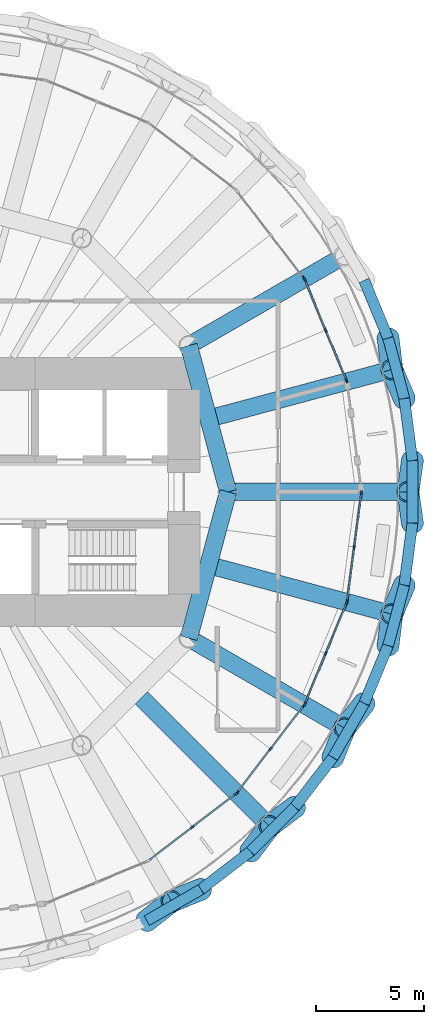
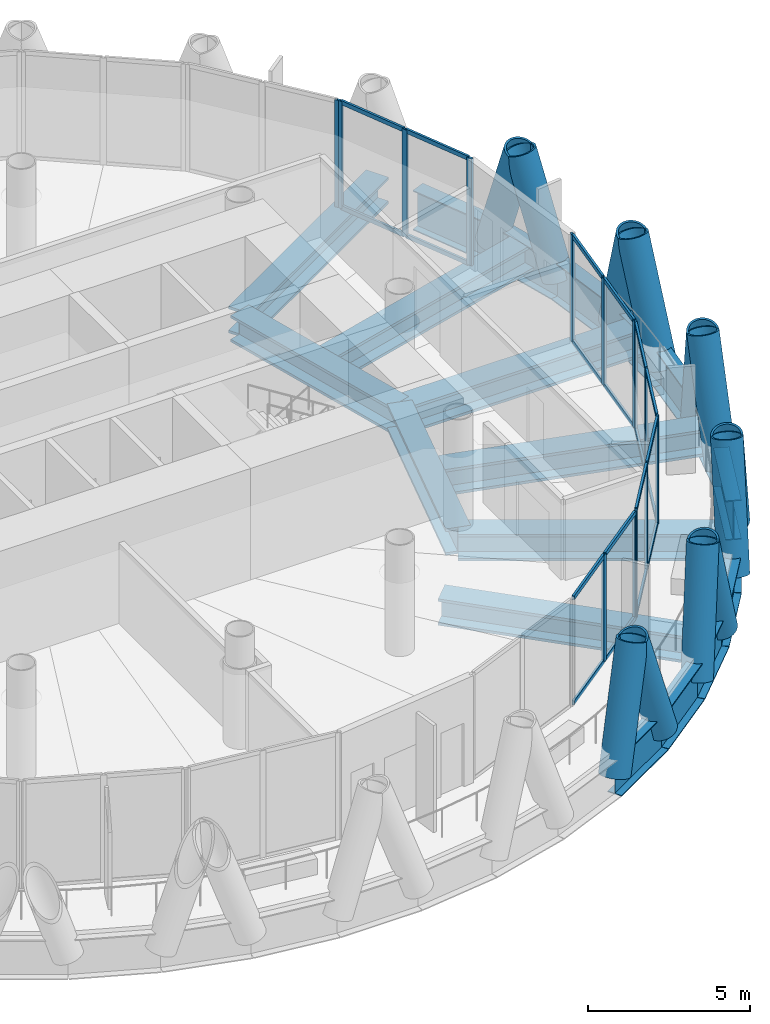
# One storey, part 4 of 15: 47 members, 20 beams, 6 elements without a shape of their own.
"""IFC4 building model written with IfcOpenShell, lengths in metres."""

import ifcopenshell
import ifcopenshell.guid

model = None  # the IFC model being written
_history = None  # IfcOwnerHistory: only IFC2X3 demands one
_inside = {}  # id of a spatial element -> (the spatial element, [elements in it])
_under = {}  # id of a project, library or spatial element -> (it, [spatial elements below it])
_declared = {}  # id of a project -> (the project, [libraries it declares])
_typed = {}  # id of a type object -> (the type object, [elements of that type])
_made_of = {}  # id of a material, layer set ... -> (it, [elements and type objects made of it])


def new_model(schema):
    """Start an empty IFC model of exactly this schema.

    Asked for "IFC4X3", IfcOpenShell would pick the latest addendum, in which some entities
    have other attributes; the version numbers below select the first issue.
    IFC2X3 requires an IfcOwnerHistory on every rooted entity: one is made here for all.
    """
    global model, _history
    if schema == "IFC4X3":
        model = ifcopenshell.file(schema_version=(4, 3, 0, 0))
    else:
        model = ifcopenshell.file(schema=schema)
    _inside.clear()
    _under.clear()
    _declared.clear()
    _typed.clear()
    _made_of.clear()
    _history = None
    if model.schema == "IFC2X3":
        org = make("IfcOrganization", Name="unknown")
        user = make(
            "IfcPersonAndOrganization",
            ThePerson=make("IfcPerson", FamilyName="unknown"),
            TheOrganization=org,
        )
        app = make(
            "IfcApplication",
            ApplicationDeveloper=org,
            Version="unknown",
            ApplicationFullName="unknown",
            ApplicationIdentifier="unknown",
        )
        _history = make(
            "IfcOwnerHistory",
            OwningUser=user,
            OwningApplication=app,
            ChangeAction="ADDED",
            CreationDate=0,
        )
    return model


def make(cls, **values):
    """One entity of the class cls with the attributes given. An attribute that is None is left unset."""
    return model.create_entity(
        cls, **{name: value for name, value in values.items() if value is not None}
    )


def rooted(cls, **values):
    """An entity with a GlobalId (a new one), such as an element, a storey or a relation."""
    return make(cls, GlobalId=ifcopenshell.guid.new(), OwnerHistory=_history, **values)


def si_unit(unit_type, name, prefix=None):
    """IfcSIUnit, for example si_unit("LENGTHUNIT", "METRE", prefix="MILLI")."""
    return make("IfcSIUnit", UnitType=unit_type, Prefix=prefix, Name=name)


def assignment(units):
    """IfcUnitAssignment: the units of a project."""
    return None if units is None else make("IfcUnitAssignment", Units=units)


def point(xyz):
    """IfcCartesianPoint."""
    return None if xyz is None else make("IfcCartesianPoint", Coordinates=xyz)


def direction(xyz):
    """IfcDirection."""
    return None if xyz is None else make("IfcDirection", DirectionRatios=xyz)


def frame(location, z_axis=None, x_axis=None):
    """IfcAxis2Placement3D, a coordinate frame: its origin and axes. An axis left out is left unset."""
    return make(
        "IfcAxis2Placement3D",
        Location=point(location),
        Axis=direction(z_axis),
        RefDirection=direction(x_axis),
    )


def frame_2d(location, x_axis=None):
    """IfcAxis2Placement2D, a coordinate frame in the plane: its origin and x axis."""
    return make(
        "IfcAxis2Placement2D", Location=point(location), RefDirection=direction(x_axis)
    )


def origin():
    """The frame at (0, 0, 0) with its axes left unset."""
    return frame((0.0, 0.0, 0.0))


def origin_2d():
    """The frame at (0, 0) in the plane with its x axis left unset."""
    return frame_2d((0.0, 0.0))


def place(relative_to, where):
    """IfcLocalPlacement: puts the frame where relative to a parent placement (None: the world)."""
    return make(
        "IfcLocalPlacement", PlacementRelTo=relative_to, RelativePlacement=where
    )


def context(
    kind, dimensions, precision=None, world=None, true_north=None, identifier=None
):
    """IfcGeometricRepresentationContext, for example the 3D "Model" context."""
    return make(
        "IfcGeometricRepresentationContext",
        ContextIdentifier=identifier,
        ContextType=kind,
        CoordinateSpaceDimension=dimensions,
        Precision=precision,
        WorldCoordinateSystem=world,
        TrueNorth=true_north,
    )


def subcontext(parent, identifier, kind, view, scale=None):
    """IfcGeometricRepresentationSubContext, for example "Body" below "Model"."""
    return make(
        "IfcGeometricRepresentationSubContext",
        ContextIdentifier=identifier,
        ContextType=kind,
        ParentContext=parent,
        TargetScale=scale,
        TargetView=view,
    )


def project(units=None, contexts=None):
    """IfcProject with its units and contexts."""
    return rooted(
        "IfcProject",
        Name="project",
        RepresentationContexts=contexts,
        UnitsInContext=assignment(units),
    )


def spatial(cls, under=None, at=None, **own):
    """A site, building, storey or space (cls), placed at a placement, below another one or the project."""
    s = rooted(cls, ObjectPlacement=at, **own)
    if under is not None:
        _under.setdefault(under.id(), (under, []))[1].append(s)
    return s


def profile(cls, at=None, kind="AREA", **sizes):
    """A parametric profile (cls). Its sizes go by their IFC names, for example OverallWidth=200.0."""
    return make(cls, ProfileType=kind, Position=at, **sizes)


def rectangle(**sizes):
    """IfcRectangleProfileDef."""
    return profile("IfcRectangleProfileDef", **sizes)


def hollow_circle(**sizes):
    """IfcCircleHollowProfileDef."""
    return profile("IfcCircleHollowProfileDef", **sizes)


def i_section(**sizes):
    """IfcIShapeProfileDef."""
    return profile("IfcIShapeProfileDef", **sizes)


def extrude(swept, where, along, depth):
    """IfcExtrudedAreaSolid: the profile swept, set in the frame where, extruded along a direction by depth."""
    return make(
        "IfcExtrudedAreaSolid",
        SweptArea=swept,
        Position=where,
        ExtrudedDirection=direction(along),
        Depth=depth,
    )


def shape(context_of_items, identifier, shape_type, items):
    """IfcShapeRepresentation: the items that make up one representation, for example the "Body"."""
    return make(
        "IfcShapeRepresentation",
        ContextOfItems=context_of_items,
        RepresentationIdentifier=identifier,
        RepresentationType=shape_type,
        Items=items,
    )


def material(Name=None, Category=None):
    """IfcMaterial."""
    return make("IfcMaterial", Name=Name, Category=Category)


def material_profile(
    of_material, cross_section, Name=None, Category=None, Priority=None
):
    """IfcMaterialProfile: a cross section and its material."""
    return make(
        "IfcMaterialProfile",
        Name=Name,
        Material=of_material,
        Profile=cross_section,
        Priority=Priority,
        Category=Category,
    )


def profile_set(profiles, Name=None, composite=None):
    """IfcMaterialProfileSet."""
    return make(
        "IfcMaterialProfileSet",
        Name=Name,
        MaterialProfiles=profiles,
        CompositeProfile=composite,
    )


def made_of(thing, what):
    """Note that an element or type object is made of a material, layer set ...; save() writes the relation."""
    if what is not None:
        _made_of.setdefault(what.id(), (what, []))[1].append(thing)
    return thing


def type_object(cls, material=None, **own):
    """A type object (cls), such as IfcWallType, which elements share."""
    return made_of(rooted(cls, **own), material)


def element(
    cls,
    number,
    at=None,
    inside=None,
    cuts=None,
    type_object=None,
    material=None,
    context=None,
    identifier="Body",
    shape_type=None,
    held_by="IfcProductDefinitionShape",
    body=None,
    shapes=None,
    **own,
):
    """One element of the class cls, such as IfcWall. Its Tag is "e" and its number.

    at: its placement. inside: the storey or other place that contains it. cuts: it is an
    opening in that element (IfcRelVoidsElement). A single representation is given by context,
    identifier, shape_type and body (its items); several are given by shapes. held_by: the class
    of the entity that holds the representations. save() writes the other relations.
    """
    e = rooted(cls, Tag="e%d" % number, ObjectPlacement=at, **own)
    if body is not None:
        shapes = [shape(context, identifier, shape_type, body)]
    if shapes is not None:
        e.Representation = make(held_by, Representations=shapes)
    if inside is not None:
        _inside.setdefault(inside.id(), (inside, []))[1].append(e)
    if cuts is not None:
        rooted(
            "IfcRelVoidsElement", RelatingBuildingElement=cuts, RelatedOpeningElement=e
        )
    if type_object is not None:
        _typed.setdefault(type_object.id(), (type_object, []))[1].append(e)
    return made_of(e, material)


def aggregate(whole, parts):
    """IfcRelAggregates: a whole, such as a stair, and the parts it consists of."""
    return rooted("IfcRelAggregates", RelatingObject=whole, RelatedObjects=parts)


def save(model, path):
    """Write the relations noted so far, then the file.

    IfcRelAggregates (storeys below a building ...), IfcRelContainedInSpatialStructure (elements
    in a storey), IfcRelDefinesByType, IfcRelAssociatesMaterial and IfcRelDeclares: one each for
    every whole, place, type object, material and project.
    """
    for whole, parts in _under.values():
        aggregate(whole, parts)
    for where, things in _inside.values():
        rooted(
            "IfcRelContainedInSpatialStructure",
            RelatedElements=things,
            RelatingStructure=where,
        )
    for kind, things in _typed.values():
        rooted("IfcRelDefinesByType", RelatedObjects=things, RelatingType=kind)
    for what, things in _made_of.values():
        rooted("IfcRelAssociatesMaterial", RelatedObjects=things, RelatingMaterial=what)
    for by, libraries in _declared.values():
        rooted("IfcRelDeclares", RelatingContext=by, RelatedDefinitions=libraries)
    model.write(path)


model = new_model("IFC4")

# Units and contexts
model_context = context("Model", 3, precision=1e-05, world=origin(), true_north=direction((0.0, 1.0)))
body_context = subcontext(model_context, "Body", "Model", "MODEL_VIEW")
ifc_project = project(units=[si_unit("LENGTHUNIT", "METRE"), si_unit("AREAUNIT", "SQUARE_METRE"), si_unit("VOLUMEUNIT", "CUBIC_METRE"), si_unit("PLANEANGLEUNIT", "RADIAN"), si_unit("MASSUNIT", "GRAM", prefix="KILO")], contexts=[model_context])

# Site, building, storey
site_placement = place(None, origin())
site = spatial("IfcSite", under=ifc_project, at=site_placement, CompositionType="ELEMENT")
building_placement = place(site_placement, origin())
building = spatial("IfcBuilding", under=site, at=building_placement, Name="Qaws Media Tower", CompositionType="ELEMENT")
storey_placement = place(building_placement, frame((0.0, 0.0, 257.0)))
storey = spatial("IfcBuildingStorey", under=building, at=storey_placement, Name="L59", CompositionType="ELEMENT", Elevation=257.0)

# Curtain wall, members
ifc_material_1 = material(Name="Aluminium and clear glass", Category="aluminium")
curtain_wall_type = type_object("IfcCurtainWallType", Name="Unitised curtain wall CW-C", PredefinedType="NOTDEFINED", material=ifc_material_1)
curtain_wall_1_placement = place(storey_placement, origin())
curtain_wall_1 = element("IfcCurtainWall", 1, at=curtain_wall_1_placement, inside=storey, type_object=curtain_wall_type, Name="CWC curtain wall L59-02", PredefinedType="NOTDEFINED")
ifc_material_2 = material(Name="Aluminium mullion", Category="aluminium")
ifc_material_profile_1 = material_profile(ifc_material_2, rectangle(XDim=0.080078125, YDim=0.199951171875, at=origin_2d()), Name="80x200")
ifc_profile_set_1 = profile_set([ifc_material_profile_1], Name="Aluminium mullion")
member_type_1 = type_object("IfcMemberType", Name="Curtain wall mullion 80x200", PredefinedType="MULLION", material=ifc_profile_set_1)
member_1_placement = place(storey_placement, frame((78.965087890625, 55.122802734375, 0.0), z_axis=(0.0, 0.0, 1.0), x_axis=(-0.923879560089, -0.382683365786, 0.0)))
member_1 = element("IfcMember", 2, at=member_1_placement, type_object=member_type_1, Name="CWC mullion 1", PredefinedType="MULLION", context=body_context, shape_type="SweptSolid", body=[
    extrude(rectangle(XDim=0.080078125, YDim=0.199951171875, at=origin_2d()), origin(), (0.0, 0.0, 1.0), 4.0400390625),
])
member_2_placement = place(storey_placement, frame((77.9990234375, 57.455322265625, 0.0), z_axis=(0.0, 0.0, 1.0), x_axis=(-0.923879560089, -0.382683365786, 0.0)))
member_2 = element("IfcMember", 3, at=member_2_placement, type_object=member_type_1, Name="CWC mullion 2", PredefinedType="MULLION", context=body_context, shape_type="SweptSolid", body=[
    extrude(rectangle(XDim=0.080078125, YDim=0.199951171875, at=origin_2d()), origin(), (0.0, 0.0, 1.0), 4.0400390625),
])
member_3_placement = place(storey_placement, frame((77.03271484375, 59.7880859375, 0.0), z_axis=(0.0, 0.0, 1.0), x_axis=(-0.923879560089, -0.382683365786, 0.0)))
member_3 = element("IfcMember", 4, at=member_3_placement, type_object=member_type_1, Name="CWC mullion 3", PredefinedType="MULLION", context=body_context, shape_type="SweptSolid", body=[
    extrude(rectangle(XDim=0.080078125, YDim=0.199951171875, at=origin_2d()), origin(), (0.0, 0.0, 1.0), 4.0400390625),
])

# Curtain wall, member
curtain_wall_2_placement = place(storey_placement, origin())
curtain_wall_2 = element("IfcCurtainWall", 5, at=curtain_wall_2_placement, inside=storey, type_object=curtain_wall_type, Name="CWC curtain wall L59-03", PredefinedType="NOTDEFINED")
member_4_placement = place(storey_placement, frame((76.9931640625, 59.856689453125, 0.0), z_axis=(0.0, 0.0, 1.0), x_axis=(-0.793353316003, -0.608761460662, 0.0)))
member_4 = element("IfcMember", 6, at=member_4_placement, type_object=member_type_1, Name="CWC mullion 1", PredefinedType="MULLION", context=body_context, shape_type="SweptSolid", body=[
    extrude(rectangle(XDim=0.080078125, YDim=0.199951171875, at=origin_2d()), origin(), (0.0, 0.0, 1.0), 4.0400390625),
])
aggregate(curtain_wall_2, [member_4])

# Curtain wall, members
curtain_wall_3_placement = place(storey_placement, origin())
curtain_wall_3 = element("IfcCurtainWall", 7, at=curtain_wall_3_placement, inside=storey, type_object=curtain_wall_type, Name="CWC curtain wall L59-21", PredefinedType="NOTDEFINED")
member_5_placement = place(storey_placement, frame((71.85986328125, 34.5439453125, 0.0), z_axis=(0.0, 0.0, 1.0), x_axis=(-0.608761460662, 0.793353316003, 0.0)))
member_5 = element("IfcMember", 8, at=member_5_placement, type_object=member_type_1, Name="CWC mullion 2", PredefinedType="MULLION", context=body_context, shape_type="SweptSolid", body=[
    extrude(rectangle(XDim=0.080078125, YDim=0.199951171875, at=origin_2d()), origin(), (0.0, 0.0, 1.0), 4.0400390625),
])
member_6_placement = place(storey_placement, frame((73.86279296875, 36.0810546875, 0.0), z_axis=(0.0, 0.0, 1.0), x_axis=(-0.608761460662, 0.793353316003, 0.0)))
member_6 = element("IfcMember", 9, at=member_6_placement, type_object=member_type_1, Name="CWC mullion 3", PredefinedType="MULLION", context=body_context, shape_type="SweptSolid", body=[
    extrude(rectangle(XDim=0.080078125, YDim=0.199951171875, at=origin_2d()), origin(), (0.0, 0.0, 1.0), 4.0400390625),
])

curtain_wall_4_placement = place(storey_placement, origin())
curtain_wall_4 = element("IfcCurtainWall", 10, at=curtain_wall_4_placement, inside=storey, type_object=curtain_wall_type, Name="CWC curtain wall L59-22", PredefinedType="NOTDEFINED")
member_7_placement = place(storey_placement, frame((73.9189453125, 36.13720703125, 0.0), z_axis=(0.0, 0.0, 1.0), x_axis=(-0.793353316003, 0.608761460662, 0.0)))
member_7 = element("IfcMember", 11, at=member_7_placement, type_object=member_type_1, Name="CWC mullion 1", PredefinedType="MULLION", context=body_context, shape_type="SweptSolid", body=[
    extrude(rectangle(XDim=0.080078125, YDim=0.199951171875, at=origin_2d()), origin(), (0.0, 0.0, 1.0), 4.0400390625),
])
member_8_placement = place(storey_placement, frame((75.4560546875, 38.14013671875, 0.0), z_axis=(0.0, 0.0, 1.0), x_axis=(-0.793353316003, 0.608761460662, 0.0)))
member_8 = element("IfcMember", 12, at=member_8_placement, type_object=member_type_1, Name="CWC mullion 2", PredefinedType="MULLION", context=body_context, shape_type="SweptSolid", body=[
    extrude(rectangle(XDim=0.080078125, YDim=0.199951171875, at=origin_2d()), origin(), (0.0, 0.0, 1.0), 4.0400390625),
])
member_9_placement = place(storey_placement, frame((76.9931640625, 40.143310546875, 0.0), z_axis=(0.0, 0.0, 1.0), x_axis=(-0.793353316003, 0.608761460662, 0.0)))
member_9 = element("IfcMember", 13, at=member_9_placement, type_object=member_type_1, Name="CWC mullion 3", PredefinedType="MULLION", context=body_context, shape_type="SweptSolid", body=[
    extrude(rectangle(XDim=0.080078125, YDim=0.199951171875, at=origin_2d()), origin(), (0.0, 0.0, 1.0), 4.0400390625),
])

curtain_wall_5_placement = place(storey_placement, origin())
curtain_wall_5 = element("IfcCurtainWall", 14, at=curtain_wall_5_placement, inside=storey, type_object=curtain_wall_type, Name="CWC curtain wall L59-23", PredefinedType="NOTDEFINED")
member_10_placement = place(storey_placement, frame((77.03271484375, 40.2119140625, 0.0), z_axis=(0.0, 0.0, 1.0), x_axis=(-0.923879560089, 0.382683365786, 0.0)))
member_10 = element("IfcMember", 15, at=member_10_placement, type_object=member_type_1, Name="CWC mullion 1", PredefinedType="MULLION", context=body_context, shape_type="SweptSolid", body=[
    extrude(rectangle(XDim=0.080078125, YDim=0.199951171875, at=origin_2d()), origin(), (0.0, 0.0, 1.0), 4.0400390625),
])
member_11_placement = place(storey_placement, frame((77.9990234375, 42.544677734375, 0.0), z_axis=(0.0, 0.0, 1.0), x_axis=(-0.923879560089, 0.382683365786, 0.0)))
member_11 = element("IfcMember", 16, at=member_11_placement, type_object=member_type_1, Name="CWC mullion 2", PredefinedType="MULLION", context=body_context, shape_type="SweptSolid", body=[
    extrude(rectangle(XDim=0.080078125, YDim=0.199951171875, at=origin_2d()), origin(), (0.0, 0.0, 1.0), 4.0400390625),
])
member_12_placement = place(storey_placement, frame((78.965087890625, 44.877197265625, 0.0), z_axis=(0.0, 0.0, 1.0), x_axis=(-0.923879560089, 0.382683365786, 0.0)))
member_12 = element("IfcMember", 17, at=member_12_placement, type_object=member_type_1, Name="CWC mullion 3", PredefinedType="MULLION", context=body_context, shape_type="SweptSolid", body=[
    extrude(rectangle(XDim=0.080078125, YDim=0.199951171875, at=origin_2d()), origin(), (0.0, 0.0, 1.0), 4.0400390625),
])

curtain_wall_6_placement = place(storey_placement, origin())
curtain_wall_6 = element("IfcCurtainWall", 18, at=curtain_wall_6_placement, inside=storey, type_object=curtain_wall_type, Name="CWC curtain wall L59-24", PredefinedType="NOTDEFINED")
member_13_placement = place(storey_placement, frame((78.985595703125, 44.953857421875, 0.0), z_axis=(0.0, 0.0, 1.0), x_axis=(-0.991444848313, 0.130526291424, 0.0)))
member_13 = element("IfcMember", 19, at=member_13_placement, type_object=member_type_1, Name="CWC mullion 1", PredefinedType="MULLION", context=body_context, shape_type="SweptSolid", body=[
    extrude(rectangle(XDim=0.080078125, YDim=0.199951171875, at=origin_2d()), origin(), (0.0, 0.0, 1.0), 4.0400390625),
])
member_14_placement = place(storey_placement, frame((79.315185546875, 47.45703125, 0.0), z_axis=(0.0, 0.0, 1.0), x_axis=(-0.991444848313, 0.130526291424, 0.0)))
member_14 = element("IfcMember", 20, at=member_14_placement, type_object=member_type_1, Name="CWC mullion 2", PredefinedType="MULLION", context=body_context, shape_type="SweptSolid", body=[
    extrude(rectangle(XDim=0.080078125, YDim=0.199951171875, at=origin_2d()), origin(), (0.0, 0.0, 1.0), 4.0400390625),
])
member_15_placement = place(storey_placement, frame((79.644775390625, 49.96044921875, 0.0), z_axis=(0.0, 0.0, 1.0), x_axis=(-0.991444848313, 0.130526291424, 0.0)))
member_15 = element("IfcMember", 21, at=member_15_placement, type_object=member_type_1, Name="CWC mullion 3", PredefinedType="MULLION", context=body_context, shape_type="SweptSolid", body=[
    extrude(rectangle(XDim=0.080078125, YDim=0.199951171875, at=origin_2d()), origin(), (0.0, 0.0, 1.0), 4.0400390625),
])

# Member
ifc_material_3 = material(Name="Aluminium transom", Category="aluminium")
ifc_material_profile_2 = material_profile(ifc_material_3, rectangle(XDim=0.080078125, YDim=0.159912109375, at=origin_2d()), Name="80x160")
ifc_profile_set_2 = profile_set([ifc_material_profile_2], Name="Aluminium transom")
member_type_2 = type_object("IfcMemberType", Name="Curtain wall transom 80x160", PredefinedType="USERDEFINED", material=ifc_profile_set_2)
member_16_placement = place(storey_placement, frame((78.94970703125, 55.15966796875, 0.0400390625), z_axis=(-0.382657531231, 0.923890260687, 0.0), x_axis=(-0.923890260687, -0.382657531231, 0.0)))
member_16 = element("IfcMember", 22, at=member_16_placement, type_object=member_type_2, Name="CWC transom 1.1", ObjectType="TRANSOM", PredefinedType="USERDEFINED", context=body_context, shape_type="SweptSolid", body=[
    extrude(rectangle(XDim=0.080078125, YDim=0.159912109375, at=origin_2d()), origin(), (0.0, 0.0, 1.0), 2.44482421875),
])

member_17_placement = place(storey_placement, frame((78.94970703125, 55.15966796875, 4.0), z_axis=(-0.382657531231, 0.923890260687, 0.0), x_axis=(-0.923890260687, -0.382657531231, 0.0)))
member_17 = element("IfcMember", 23, at=member_17_placement, type_object=member_type_2, Name="CWC transom 1.2", ObjectType="TRANSOM", PredefinedType="USERDEFINED", context=body_context, shape_type="SweptSolid", body=[
    extrude(rectangle(XDim=0.080078125, YDim=0.159912109375, at=origin_2d()), origin(), (0.0, 0.0, 1.0), 2.44482421875),
])

member_18_placement = place(storey_placement, frame((77.983642578125, 57.492431640625, 0.0400390625), z_axis=(-0.382692837519, 0.923875636713, 0.0), x_axis=(-0.923875636713, -0.382692837519, 0.0)))
member_18 = element("IfcMember", 24, at=member_18_placement, type_object=member_type_2, Name="CWC transom 2.1", ObjectType="TRANSOM", PredefinedType="USERDEFINED", context=body_context, shape_type="SweptSolid", body=[
    extrude(rectangle(XDim=0.080078125, YDim=0.159912109375, at=origin_2d()), origin(), (0.0, 0.0, 1.0), 2.444580078125),
])

member_19_placement = place(storey_placement, frame((77.983642578125, 57.492431640625, 4.0), z_axis=(-0.382692837519, 0.923875636713, 0.0), x_axis=(-0.923875636713, -0.382692837519, 0.0)))
member_19 = element("IfcMember", 25, at=member_19_placement, type_object=member_type_2, Name="CWC transom 2.2", ObjectType="TRANSOM", PredefinedType="USERDEFINED", context=body_context, shape_type="SweptSolid", body=[
    extrude(rectangle(XDim=0.080078125, YDim=0.159912109375, at=origin_2d()), origin(), (0.0, 0.0, 1.0), 2.444580078125),
])

aggregate(curtain_wall_1, [member_1, member_2, member_3, member_16, member_17, member_18, member_19])

member_20_placement = place(storey_placement, frame((69.888427734375, 33.03125, 0.0400390625), z_axis=(0.793373254065, 0.608735475995, 0.0), x_axis=(-0.608735475995, 0.793373254065, 0.0)))
member_20 = element("IfcMember", 26, at=member_20_placement, type_object=member_type_2, Name="CWC transom 1.1", ObjectType="TRANSOM", PredefinedType="USERDEFINED", context=body_context, shape_type="SweptSolid", body=[
    extrude(rectangle(XDim=0.080078125, YDim=0.159912109375, at=origin_2d()), origin(), (0.0, 0.0, 1.0), 2.44482421875),
])

member_21_placement = place(storey_placement, frame((69.888427734375, 33.03125, 4.0), z_axis=(0.793373254065, 0.608735475995, 0.0), x_axis=(-0.608735475995, 0.793373254065, 0.0)))
member_21 = element("IfcMember", 27, at=member_21_placement, type_object=member_type_2, Name="CWC transom 1.2", ObjectType="TRANSOM", PredefinedType="USERDEFINED", context=body_context, shape_type="SweptSolid", body=[
    extrude(rectangle(XDim=0.080078125, YDim=0.159912109375, at=origin_2d()), origin(), (0.0, 0.0, 1.0), 2.44482421875),
])

member_22_placement = place(storey_placement, frame((71.8916015625, 34.568359375, 0.0400390625), z_axis=(0.793373254065, 0.608735475995, 0.0), x_axis=(-0.608735475995, 0.793373254065, 0.0)))
member_22 = element("IfcMember", 28, at=member_22_placement, type_object=member_type_2, Name="CWC transom 2.1", ObjectType="TRANSOM", PredefinedType="USERDEFINED", context=body_context, shape_type="SweptSolid", body=[
    extrude(rectangle(XDim=0.080078125, YDim=0.159912109375, at=origin_2d()), origin(), (0.0, 0.0, 1.0), 2.44482421875),
])

member_23_placement = place(storey_placement, frame((71.8916015625, 34.568359375, 4.0), z_axis=(0.793373254065, 0.608735475995, 0.0), x_axis=(-0.608735475995, 0.793373254065, 0.0)))
member_23 = element("IfcMember", 29, at=member_23_placement, type_object=member_type_2, Name="CWC transom 2.2", ObjectType="TRANSOM", PredefinedType="USERDEFINED", context=body_context, shape_type="SweptSolid", body=[
    extrude(rectangle(XDim=0.080078125, YDim=0.159912109375, at=origin_2d()), origin(), (0.0, 0.0, 1.0), 2.44482421875),
])

aggregate(curtain_wall_3, [member_5, member_6, member_20, member_21, member_22, member_23])

member_24_placement = place(storey_placement, frame((73.943359375, 36.168701171875, 0.0400390625), z_axis=(0.608735475995, 0.793373254065, 0.0), x_axis=(-0.793373254065, 0.608735475995, 0.0)))
member_24 = element("IfcMember", 30, at=member_24_placement, type_object=member_type_2, Name="CWC transom 1.1", ObjectType="TRANSOM", PredefinedType="USERDEFINED", context=body_context, shape_type="SweptSolid", body=[
    extrude(rectangle(XDim=0.080078125, YDim=0.159912109375, at=origin_2d()), origin(), (0.0, 0.0, 1.0), 2.44482421875),
])

member_25_placement = place(storey_placement, frame((73.943359375, 36.168701171875, 4.0), z_axis=(0.608735475995, 0.793373254065, 0.0), x_axis=(-0.793373254065, 0.608735475995, 0.0)))
member_25 = element("IfcMember", 31, at=member_25_placement, type_object=member_type_2, Name="CWC transom 1.2", ObjectType="TRANSOM", PredefinedType="USERDEFINED", context=body_context, shape_type="SweptSolid", body=[
    extrude(rectangle(XDim=0.080078125, YDim=0.159912109375, at=origin_2d()), origin(), (0.0, 0.0, 1.0), 2.44482421875),
])

member_26_placement = place(storey_placement, frame((75.48046875, 38.171875, 0.0400390625), z_axis=(0.608735475995, 0.793373254065, 0.0), x_axis=(-0.793373254065, 0.608735475995, 0.0)))
member_26 = element("IfcMember", 32, at=member_26_placement, type_object=member_type_2, Name="CWC transom 2.1", ObjectType="TRANSOM", PredefinedType="USERDEFINED", context=body_context, shape_type="SweptSolid", body=[
    extrude(rectangle(XDim=0.080078125, YDim=0.159912109375, at=origin_2d()), origin(), (0.0, 0.0, 1.0), 2.44482421875),
])

member_27_placement = place(storey_placement, frame((75.48046875, 38.171875, 4.0), z_axis=(0.608735475995, 0.793373254065, 0.0), x_axis=(-0.793373254065, 0.608735475995, 0.0)))
member_27 = element("IfcMember", 33, at=member_27_placement, type_object=member_type_2, Name="CWC transom 2.2", ObjectType="TRANSOM", PredefinedType="USERDEFINED", context=body_context, shape_type="SweptSolid", body=[
    extrude(rectangle(XDim=0.080078125, YDim=0.159912109375, at=origin_2d()), origin(), (0.0, 0.0, 1.0), 2.44482421875),
])

aggregate(curtain_wall_4, [member_7, member_8, member_9, member_24, member_25, member_26, member_27])

member_28_placement = place(storey_placement, frame((77.048095703125, 40.2490234375, 0.0400390625), z_axis=(0.382692837519, 0.923875636713, 0.0), x_axis=(-0.923875636713, 0.382692837519, 0.0)))
member_28 = element("IfcMember", 34, at=member_28_placement, type_object=member_type_2, Name="CWC transom 1.1", ObjectType="TRANSOM", PredefinedType="USERDEFINED", context=body_context, shape_type="SweptSolid", body=[
    extrude(rectangle(XDim=0.080078125, YDim=0.159912109375, at=origin_2d()), origin(), (0.0, 0.0, 1.0), 2.444580078125),
])

member_29_placement = place(storey_placement, frame((77.048095703125, 40.2490234375, 4.0), z_axis=(0.382692837519, 0.923875636713, 0.0), x_axis=(-0.923875636713, 0.382692837519, 0.0)))
member_29 = element("IfcMember", 35, at=member_29_placement, type_object=member_type_2, Name="CWC transom 1.2", ObjectType="TRANSOM", PredefinedType="USERDEFINED", context=body_context, shape_type="SweptSolid", body=[
    extrude(rectangle(XDim=0.080078125, YDim=0.159912109375, at=origin_2d()), origin(), (0.0, 0.0, 1.0), 2.444580078125),
])

member_30_placement = place(storey_placement, frame((78.01416015625, 42.58154296875, 0.0400390625), z_axis=(0.382657531231, 0.923890260687, 0.0), x_axis=(-0.923890260687, 0.382657531231, 0.0)))
member_30 = element("IfcMember", 36, at=member_30_placement, type_object=member_type_2, Name="CWC transom 2.1", ObjectType="TRANSOM", PredefinedType="USERDEFINED", context=body_context, shape_type="SweptSolid", body=[
    extrude(rectangle(XDim=0.080078125, YDim=0.159912109375, at=origin_2d()), origin(), (0.0, 0.0, 1.0), 2.44482421875),
])

member_31_placement = place(storey_placement, frame((78.01416015625, 42.58154296875, 4.0), z_axis=(0.382657531231, 0.923890260687, 0.0), x_axis=(-0.923890260687, 0.382657531231, 0.0)))
member_31 = element("IfcMember", 37, at=member_31_placement, type_object=member_type_2, Name="CWC transom 2.2", ObjectType="TRANSOM", PredefinedType="USERDEFINED", context=body_context, shape_type="SweptSolid", body=[
    extrude(rectangle(XDim=0.080078125, YDim=0.159912109375, at=origin_2d()), origin(), (0.0, 0.0, 1.0), 2.44482421875),
])

aggregate(curtain_wall_5, [member_10, member_11, member_12, member_28, member_29, member_30, member_31])

member_32_placement = place(storey_placement, frame((78.990966796875, 44.993408203125, 0.0400390625), z_axis=(0.130508755558, 0.991447156798, 0.0), x_axis=(-0.991447156798, 0.130508755558, 0.0)))
member_32 = element("IfcMember", 38, at=member_32_placement, type_object=member_type_2, Name="CWC transom 1.1", ObjectType="TRANSOM", PredefinedType="USERDEFINED", context=body_context, shape_type="SweptSolid", body=[
    extrude(rectangle(XDim=0.080078125, YDim=0.159912109375, at=origin_2d()), origin(), (0.0, 0.0, 1.0), 2.445068359375),
])

member_33_placement = place(storey_placement, frame((78.990966796875, 44.993408203125, 4.0), z_axis=(0.130508755558, 0.991447156798, 0.0), x_axis=(-0.991447156798, 0.130508755558, 0.0)))
member_33 = element("IfcMember", 39, at=member_33_placement, type_object=member_type_2, Name="CWC transom 1.2", ObjectType="TRANSOM", PredefinedType="USERDEFINED", context=body_context, shape_type="SweptSolid", body=[
    extrude(rectangle(XDim=0.080078125, YDim=0.159912109375, at=origin_2d()), origin(), (0.0, 0.0, 1.0), 2.445068359375),
])

member_34_placement = place(storey_placement, frame((79.320556640625, 47.496826171875, 0.0400390625), z_axis=(0.130521677146, 0.991445455784, 0.0), x_axis=(-0.991445455784, 0.130521677146, 0.0)))
member_34 = element("IfcMember", 40, at=member_34_placement, type_object=member_type_2, Name="CWC transom 2.1", ObjectType="TRANSOM", PredefinedType="USERDEFINED", context=body_context, shape_type="SweptSolid", body=[
    extrude(rectangle(XDim=0.080078125, YDim=0.159912109375, at=origin_2d()), origin(), (0.0, 0.0, 1.0), 2.44482421875),
])

member_35_placement = place(storey_placement, frame((79.320556640625, 47.496826171875, 4.0), z_axis=(0.130521677146, 0.991445455784, 0.0), x_axis=(-0.991445455784, 0.130521677146, 0.0)))
member_35 = element("IfcMember", 41, at=member_35_placement, type_object=member_type_2, Name="CWC transom 2.2", ObjectType="TRANSOM", PredefinedType="USERDEFINED", context=body_context, shape_type="SweptSolid", body=[
    extrude(rectangle(XDim=0.080078125, YDim=0.159912109375, at=origin_2d()), origin(), (0.0, 0.0, 1.0), 2.44482421875),
])

aggregate(curtain_wall_6, [member_13, member_14, member_15, member_32, member_33, member_34, member_35])

# Members
ifc_material_4 = material(Name="Steel S460", Category="steel")
ifc_material_profile_3 = material_profile(ifc_material_4, hollow_circle(Radius=0.508056640625, WallThickness=0.070068359375, at=origin_2d()), Name="CHS 1016x70")
ifc_profile_set_3 = profile_set([ifc_material_profile_3], Name="Steel S460")
member_type_3 = type_object("IfcMemberType", Name="Diagrid member CHS 1016x70", PredefinedType="USERDEFINED", material=ifc_profile_set_3)
for number, where, z_axis, x_axis, name in (
    (42, (81.626220703125, 54.3017578125, -0.909912109375), (-0.128021309233, 0.301572290432, 0.944809344802), (-0.920492264578, -0.39076078469, 0.0), "DG3 diagrid L59 A01"),
    (43, (82.002685546875, 51.442138671875, -0.909912109375), (-0.045584805806, -0.324421021562, 0.944813752148), (0.990272104917, -0.139144379056, 0.0), "DG3 diagrid L59 B01"),
    (44, (80.8798828125, 57.087646484375, -0.909912109375), (0.039873460202, -0.325138959222, 0.944825255996), (0.992564081167, 0.121723230224, 0.0), "DG3 diagrid L59 B02"),
    (45, (69.75244140625, 30.223876953125, -0.909912109375), (0.25813106943, 0.201726684685, 0.94481463562), (-0.615761153047, 0.787932866682, 0.0), "DG3 diagrid L59 A20"),
    (46, (74.53857421875, 33.421875, -0.909912109375), (0.197167347298, 0.261644914353, 0.944810550297), (-0.798629990387, 0.601822347919, 0.0), "DG3 diagrid L59 A21"),
    (47, (72.250244140625, 31.666015625, -0.909912109375), (-0.30377002021, -0.122694309374, 0.944812087808), (0.374510169853, -0.927222806383, 0.0), "DG3 diagrid L59 B21"),
    (48, (78.333984375, 37.749755859375, -0.909912109375), (0.122694309374, 0.30377002021, 0.944812087808), (-0.927222806383, 0.374510169853, 0.0), "DG3 diagrid L59 A22"),
    (49, (76.578125, 35.46142578125, -0.909912109375), (-0.261644914353, -0.197167347298, 0.944810550297), (0.601822347919, -0.798629990387, 0.0), "DG3 diagrid L59 B22"),
    (50, (80.8798828125, 42.912353515625, -0.909912109375), (0.039873460202, 0.325138959222, 0.944825255996), (-0.992564081167, 0.121723230224, 0.0), "DG3 diagrid L59 A23"),
    (51, (79.776123046875, 40.24755859375, -0.909912109375), (-0.201726684685, -0.25813106943, 0.94481463562), (0.787932866682, -0.615761153047, 0.0), "DG3 diagrid L59 B23"),
    (52, (82.002685546875, 48.557861328125, -0.909912109375), (-0.045584805806, 0.324421021562, 0.944813752148), (-0.990272104917, -0.139144379056, 0.0), "DG3 diagrid L59 A24"),
    (53, (81.626220703125, 45.6982421875, -0.909912109375), (-0.128021309233, -0.301572290432, 0.944809344802), (0.920492264578, -0.39076078469, 0.0), "DG3 diagrid L59 B24"),
):
    element("IfcMember", number, at=place(storey_placement, frame(where, z_axis=z_axis, x_axis=x_axis)), inside=storey, type_object=member_type_3, Name=name, ObjectType="DIAGRID", PredefinedType="USERDEFINED", context=body_context, shape_type="SweptSolid", body=[
        extrude(hollow_circle(Radius=0.508056640625, WallThickness=0.070068359375, at=origin_2d()), origin(), (0.0, 0.0, 1.0), 4.4453125),
    ])

# Beams
ifc_material_5 = material(Name="Steel S460", Category="steel")
ifc_material_profile_4 = material_profile(ifc_material_5, i_section(OverallWidth=0.5, OverallDepth=1.5, WebThickness=0.02001953125, FlangeThickness=0.0400390625, at=origin_2d()), Name="PG 1500x500")
ifc_profile_set_4 = profile_set([ifc_material_profile_4], Name="Steel S460")
beam_type_1 = type_object("IfcBeamType", Name="Edge ring beam PG 1500x500", PredefinedType="BEAM", material=ifc_profile_set_4)
beam_1_placement = place(storey_placement, frame((82.002685546875, 51.442138671875, -0.909912109375), z_axis=(-0.1305223895, 0.991445362004, 0.0), x_axis=(-0.991445362004, -0.1305223895, 0.0)))
element("IfcBeam", 54, at=beam_1_placement, inside=storey, type_object=beam_type_1, Name="RB4 edge ring beam L59-01", PredefinedType="BEAM", context=body_context, shape_type="SweptSolid", body=[
    extrude(i_section(OverallWidth=0.5, OverallDepth=1.5, WebThickness=0.02001953125, FlangeThickness=0.0400390625, at=origin_2d()), origin(), (0.0, 0.0, 1.0), 2.88427734375),
])
beam_2_placement = place(storey_placement, frame((81.626220703125, 54.3017578125, -0.909912109375), z_axis=(-0.258774166059, 0.965937850475, 0.0), x_axis=(-0.965937850475, -0.258774166059, 0.0)))
element("IfcBeam", 55, at=beam_2_placement, inside=storey, type_object=beam_type_1, Name="RB4 edge ring beam L59-02", PredefinedType="BEAM", context=body_context, shape_type="SweptSolid", body=[
    extrude(i_section(OverallWidth=0.5, OverallDepth=1.5, WebThickness=0.02001953125, FlangeThickness=0.0400390625, at=origin_2d()), origin(), (0.0, 0.0, 1.0), 2.884033203125),
])
for number, where, z_axis, x_axis, name in (
    (56, (80.8798828125, 57.087646484375, -0.909912109375), (-0.382673243004, 0.923883753017, 0.0), (-0.923883753017, -0.382673243004, 0.0), "RB4 edge ring beam L59-03"),
    (57, (69.75244140625, 30.223876953125, -0.909912109375), (0.866020660983, 0.500008214683, 0.0), (-0.500008214683, 0.866020660983, 0.0), "RB4 edge ring beam L59-40"),
    (58, (72.250244140625, 31.666015625, -0.909912109375), (0.793359711654, 0.608753125597, 0.0), (-0.608753125597, 0.793359711654, 0.0), "RB4 edge ring beam L59-41"),
    (59, (74.53857421875, 33.421875, -0.909912109375), (0.707106781187, 0.707106781187, 0.0), (-0.707106781187, 0.707106781187, 0.0), "RB4 edge ring beam L59-42"),
    (60, (76.578125, 35.46142578125, -0.909912109375), (0.608753125597, 0.793359711654, 0.0), (-0.793359711654, 0.608753125597, 0.0), "RB4 edge ring beam L59-43"),
    (61, (78.333984375, 37.749755859375, -0.909912109375), (0.500008214683, 0.866020660983, 0.0), (-0.866020660983, 0.500008214683, 0.0), "RB4 edge ring beam L59-44"),
    (62, (79.776123046875, 40.24755859375, -0.909912109375), (0.382673243004, 0.923883753017, 0.0), (-0.923883753017, 0.382673243004, 0.0), "RB4 edge ring beam L59-45"),
):
    element("IfcBeam", number, at=place(storey_placement, frame(where, z_axis=z_axis, x_axis=x_axis)), inside=storey, type_object=beam_type_1, Name=name, PredefinedType="BEAM", context=body_context, shape_type="SweptSolid", body=[
        extrude(i_section(OverallWidth=0.5, OverallDepth=1.5, WebThickness=0.02001953125, FlangeThickness=0.0400390625, at=origin_2d()), origin(), (0.0, 0.0, 1.0), 2.88427734375),
    ])
beam_3_placement = place(storey_placement, frame((80.8798828125, 42.912353515625, -0.909912109375), z_axis=(0.258774166059, 0.965937850475, 0.0), x_axis=(-0.965937850475, 0.258774166059, 0.0)))
element("IfcBeam", 63, at=beam_3_placement, inside=storey, type_object=beam_type_1, Name="RB4 edge ring beam L59-46", PredefinedType="BEAM", context=body_context, shape_type="SweptSolid", body=[
    extrude(i_section(OverallWidth=0.5, OverallDepth=1.5, WebThickness=0.02001953125, FlangeThickness=0.0400390625, at=origin_2d()), origin(), (0.0, 0.0, 1.0), 2.884033203125),
])
for number, where, z_axis, x_axis, name in (
    (64, (81.626220703125, 45.6982421875, -0.909912109375), (0.1305223895, 0.991445362004, 0.0), (-0.991445362004, 0.1305223895, 0.0), "RB4 edge ring beam L59-47"),
    (65, (82.002685546875, 48.557861328125, -0.909912109375), (0.0, 1.0, 0.0), (-1.0, 0.0, 0.0), "RB4 edge ring beam L59-48"),
):
    element("IfcBeam", number, at=place(storey_placement, frame(where, z_axis=z_axis, x_axis=x_axis)), inside=storey, type_object=beam_type_1, Name=name, PredefinedType="BEAM", context=body_context, shape_type="SweptSolid", body=[
        extrude(i_section(OverallWidth=0.5, OverallDepth=1.5, WebThickness=0.02001953125, FlangeThickness=0.0400390625, at=origin_2d()), origin(), (0.0, 0.0, 1.0), 2.88427734375),
    ])
ifc_material_6 = material(Name="Steel S460", Category="steel")
ifc_material_profile_5 = material_profile(ifc_material_6, i_section(OverallWidth=0.800048828125, OverallDepth=1.0, WebThickness=0.0400390625, FlangeThickness=0.10009765625, at=origin_2d()), Name="PG 1000x800")
ifc_profile_set_5 = profile_set([ifc_material_profile_5], Name="Steel S460")
beam_type_2 = type_object("IfcBeamType", Name="Inner ring girder PG 1000x800", PredefinedType="BEAM", material=ifc_profile_set_5)
for number, where, z_axis, x_axis, name in (
    (66, (73.5, 50.0, -0.659912109375), (-0.258810593767, 0.965928090778, 0.0), (-0.965928090778, -0.258810593767, 0.0), "B3 inner ring beam L59 I01-I02"),
    (67, (71.69140625, 43.25, -0.659912109375), (0.258810593767, 0.965928090778, 0.0), (-0.965928090778, 0.258810593767, 0.0), "B3 inner ring beam L59 I12-I01"),
):
    element("IfcBeam", number, at=place(storey_placement, frame(where, z_axis=z_axis, x_axis=x_axis)), inside=storey, type_object=beam_type_2, Name=name, PredefinedType="BEAM", context=body_context, shape_type="SweptSolid", body=[
        extrude(i_section(OverallWidth=0.800048828125, OverallDepth=1.0, WebThickness=0.0400390625, FlangeThickness=0.10009765625, at=origin_2d()), origin(), (0.0, 0.0, 1.0), 6.988037109375),
    ])
ifc_material_7 = material(Name="Steel S460", Category="steel")
ifc_material_profile_6 = material_profile(ifc_material_7, i_section(OverallWidth=0.800048828125, OverallDepth=1.0, WebThickness=0.0400390625, FlangeThickness=0.10009765625, at=origin_2d()), Name="PG 1000x800")
ifc_profile_set_6 = profile_set([ifc_material_profile_6], Name="Steel S460")
beam_type_3 = type_object("IfcBeamType", Name="Radial girder PG 1000x800", PredefinedType="BEAM", material=ifc_profile_set_6)
beam_4_placement = place(storey_placement, frame((73.5, 50.0, -0.659912109375), z_axis=(1.0, 0.0, 0.0), x_axis=(0.0, 1.0, 0.0)))
element("IfcBeam", 68, at=beam_4_placement, inside=storey, type_object=beam_type_3, Name="B1 radial beam L59 01", PredefinedType="BEAM", context=body_context, shape_type="SweptSolid", body=[
    extrude(i_section(OverallWidth=0.800048828125, OverallDepth=1.0, WebThickness=0.0400390625, FlangeThickness=0.10009765625, at=origin_2d()), origin(), (0.0, 0.0, 1.0), 8.502685546875),
])
beam_5_placement = place(storey_placement, frame((72.98193359375, 53.478515625, -0.659912109375), z_axis=(0.965924762039, 0.258823016907, 0.0), x_axis=(-0.258823016907, 0.965924762039, 0.0)))
element("IfcBeam", 69, at=beam_5_placement, inside=storey, type_object=beam_type_3, Name="B1 radial beam L59 02", PredefinedType="BEAM", context=body_context, shape_type="SweptSolid", body=[
    extrude(i_section(OverallWidth=0.800048828125, OverallDepth=1.0, WebThickness=0.0400390625, FlangeThickness=0.10009765625, at=origin_2d()), origin(), (0.0, 0.0, 1.0), 8.56298828125),
])
beam_6_placement = place(storey_placement, frame((71.69140625, 56.75, -0.659912109375), z_axis=(0.866018708055, 0.500011597164, 0.0), x_axis=(-0.500011597164, 0.866018708055, 0.0)))
element("IfcBeam", 70, at=beam_6_placement, inside=storey, type_object=beam_type_3, Name="B1 radial beam L59 03", PredefinedType="BEAM", context=body_context, shape_type="SweptSolid", body=[
    extrude(i_section(OverallWidth=0.800048828125, OverallDepth=1.0, WebThickness=0.0400390625, FlangeThickness=0.10009765625, at=origin_2d()), origin(), (0.0, 0.0, 1.0), 8.502685546875),
])
beam_7_placement = place(storey_placement, frame((69.50341796875, 40.49658203125, -0.659912109375), z_axis=(0.707106781187, -0.707106781187, 0.0), x_axis=(0.707106781187, 0.707106781187, 0.0)))
element("IfcBeam", 71, at=beam_7_placement, inside=storey, type_object=beam_type_3, Name="B1 radial beam L59 22", PredefinedType="BEAM", context=body_context, shape_type="SweptSolid", body=[
    extrude(i_section(OverallWidth=0.800048828125, OverallDepth=1.0, WebThickness=0.0400390625, FlangeThickness=0.10009765625, at=origin_2d()), origin(), (0.0, 0.0, 1.0), 8.56298828125),
])
beam_8_placement = place(storey_placement, frame((71.69140625, 43.25, -0.659912109375), z_axis=(0.866018708055, -0.500011597164, 0.0), x_axis=(0.500011597164, 0.866018708055, 0.0)))
element("IfcBeam", 72, at=beam_8_placement, inside=storey, type_object=beam_type_3, Name="B1 radial beam L59 23", PredefinedType="BEAM", context=body_context, shape_type="SweptSolid", body=[
    extrude(i_section(OverallWidth=0.800048828125, OverallDepth=1.0, WebThickness=0.0400390625, FlangeThickness=0.10009765625, at=origin_2d()), origin(), (0.0, 0.0, 1.0), 8.502685546875),
])
beam_9_placement = place(storey_placement, frame((72.98193359375, 46.521484375, -0.659912109375), z_axis=(0.965924762039, -0.258823016907, 0.0), x_axis=(0.258823016907, 0.965924762039, 0.0)))
element("IfcBeam", 73, at=beam_9_placement, inside=storey, type_object=beam_type_3, Name="B1 radial beam L59 24", PredefinedType="BEAM", context=body_context, shape_type="SweptSolid", body=[
    extrude(i_section(OverallWidth=0.800048828125, OverallDepth=1.0, WebThickness=0.0400390625, FlangeThickness=0.10009765625, at=origin_2d()), origin(), (0.0, 0.0, 1.0), 8.56298828125),
])

save(model, "model.ifc")
